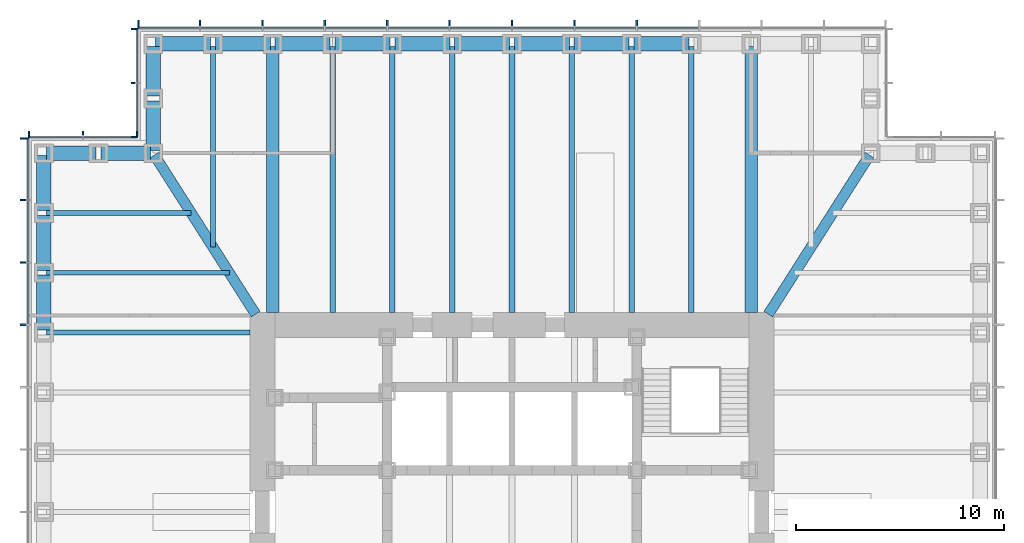
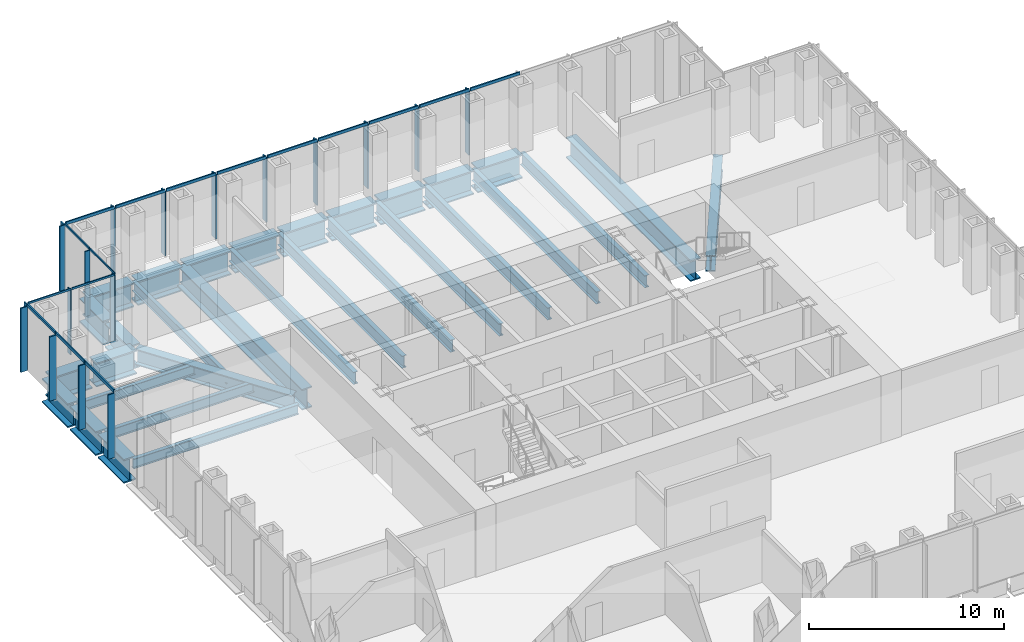
# One storey, part 5 of 16: 35 members, 31 beams, 4 elements without a shape of their own.
"""IFC4 building model written with IfcOpenShell, lengths in metres."""

from ifc_helpers import new_model, si_unit, direction, frame, origin, origin_2d, place, context, subcontext, project, spatial, rectangle, i_section, extrude, material, material_profile, profile_set, type_object, element, aggregate, save


model = new_model("IFC4")

# Units and contexts
model_context = context("Model", 3, precision=1e-05, world=origin(), true_north=direction((0.0, 1.0)))
body_context = subcontext(model_context, "Body", "Model", "MODEL_VIEW")
ifc_project = project(units=[si_unit("LENGTHUNIT", "METRE"), si_unit("AREAUNIT", "SQUARE_METRE"), si_unit("VOLUMEUNIT", "CUBIC_METRE"), si_unit("PLANEANGLEUNIT", "RADIAN"), si_unit("MASSUNIT", "GRAM", prefix="KILO")], contexts=[model_context])

# Site, building, storey
site_placement = place(None, origin())
site = spatial("IfcSite", under=ifc_project, at=site_placement, CompositionType="ELEMENT")
building_placement = place(site_placement, origin())
building = spatial("IfcBuilding", under=site, at=building_placement, Name="Daluyong Arena Tower", CompositionType="ELEMENT")
storey_placement = place(building_placement, frame((0.0, 0.0, 120.699951171875)))
storey = spatial("IfcBuildingStorey", under=building, at=storey_placement, Name="L26", CompositionType="ELEMENT", Elevation=120.699951171875)

# Curtain wall, members
ifc_material_1 = material(Name="Bronze anodised aluminium and glass", Category="aluminium")
curtain_wall_type_1 = type_object("IfcCurtainWallType", Name="Curtain wall CW2", PredefinedType="USERDEFINED", material=ifc_material_1)
curtain_wall_1_placement = place(storey_placement, origin())
curtain_wall_1 = element("IfcCurtainWall", 1, at=curtain_wall_1_placement, inside=storey, type_object=curtain_wall_type_1, Name="curtain wall L26 N", ObjectType="UNITISED CURTAIN WALL", PredefinedType="USERDEFINED")
ifc_material_2 = material(Name="Bronze anodised aluminium fin", Category="aluminium")
ifc_material_profile_1 = material_profile(ifc_material_2, rectangle(XDim=0.39990234375, YDim=0.080078125, at=origin_2d()))
ifc_profile_set_1 = profile_set([ifc_material_profile_1], Name="Bronze anodised aluminium fin")
member_type_1 = type_object("IfcMemberType", Name="CW2 bronze fin 400x80", PredefinedType="MULLION", material=ifc_profile_set_1)
member_1_placement = place(storey_placement, frame((62.0, 103.449951171875, 0.0), z_axis=(0.0, 0.0, 1.0), x_axis=(0.0, -1.0, 0.0)))
member_1 = element("IfcMember", 2, at=member_1_placement, type_object=member_type_1, Name="curtain wall L26 N fin 5", PredefinedType="MULLION", context=body_context, shape_type="SweptSolid", body=[
    extrude(rectangle(XDim=0.39990234375, YDim=0.080078125, at=origin_2d()), origin(), (0.0, 0.0, 1.0), 4.02001953125),
])
member_2_placement = place(storey_placement, frame((59.0, 103.449951171875, 0.0), z_axis=(0.0, 0.0, 1.0), x_axis=(0.0, -1.0, 0.0)))
member_2 = element("IfcMember", 3, at=member_2_placement, type_object=member_type_1, Name="curtain wall L26 N fin 6", PredefinedType="MULLION", context=body_context, shape_type="SweptSolid", body=[
    extrude(rectangle(XDim=0.39990234375, YDim=0.080078125, at=origin_2d()), origin(), (0.0, 0.0, 1.0), 4.02001953125),
])
member_3_placement = place(storey_placement, frame((56.0, 103.449951171875, 0.0), z_axis=(0.0, 0.0, 1.0), x_axis=(0.0, -1.0, 0.0)))
member_3 = element("IfcMember", 4, at=member_3_placement, type_object=member_type_1, Name="curtain wall L26 N fin 7", PredefinedType="MULLION", context=body_context, shape_type="SweptSolid", body=[
    extrude(rectangle(XDim=0.39990234375, YDim=0.080078125, at=origin_2d()), origin(), (0.0, 0.0, 1.0), 4.02001953125),
])
member_4_placement = place(storey_placement, frame((53.0, 103.449951171875, 0.0), z_axis=(0.0, 0.0, 1.0), x_axis=(0.0, -1.0, 0.0)))
member_4 = element("IfcMember", 5, at=member_4_placement, type_object=member_type_1, Name="curtain wall L26 N fin 8", PredefinedType="MULLION", context=body_context, shape_type="SweptSolid", body=[
    extrude(rectangle(XDim=0.39990234375, YDim=0.080078125, at=origin_2d()), origin(), (0.0, 0.0, 1.0), 4.02001953125),
])
member_5_placement = place(storey_placement, frame((50.0, 103.449951171875, 0.0), z_axis=(0.0, 0.0, 1.0), x_axis=(0.0, -1.0, 0.0)))
member_5 = element("IfcMember", 6, at=member_5_placement, type_object=member_type_1, Name="curtain wall L26 N fin 9", PredefinedType="MULLION", context=body_context, shape_type="SweptSolid", body=[
    extrude(rectangle(XDim=0.39990234375, YDim=0.080078125, at=origin_2d()), origin(), (0.0, 0.0, 1.0), 4.02001953125),
])
member_6_placement = place(storey_placement, frame((47.0, 103.449951171875, 0.0), z_axis=(0.0, 0.0, 1.0), x_axis=(0.0, -1.0, 0.0)))
member_6 = element("IfcMember", 7, at=member_6_placement, type_object=member_type_1, Name="curtain wall L26 N fin 10", PredefinedType="MULLION", context=body_context, shape_type="SweptSolid", body=[
    extrude(rectangle(XDim=0.39990234375, YDim=0.080078125, at=origin_2d()), origin(), (0.0, 0.0, 1.0), 4.02001953125),
])
member_7_placement = place(storey_placement, frame((44.0, 103.449951171875, 0.0), z_axis=(0.0, 0.0, 1.0), x_axis=(0.0, -1.0, 0.0)))
member_7 = element("IfcMember", 8, at=member_7_placement, type_object=member_type_1, Name="curtain wall L26 N fin 11", PredefinedType="MULLION", context=body_context, shape_type="SweptSolid", body=[
    extrude(rectangle(XDim=0.39990234375, YDim=0.080078125, at=origin_2d()), origin(), (0.0, 0.0, 1.0), 4.02001953125),
])
member_8_placement = place(storey_placement, frame((41.0, 103.449951171875, 0.0), z_axis=(0.0, 0.0, 1.0), x_axis=(0.0, -1.0, 0.0)))
member_8 = element("IfcMember", 9, at=member_8_placement, type_object=member_type_1, Name="curtain wall L26 N fin 12", PredefinedType="MULLION", context=body_context, shape_type="SweptSolid", body=[
    extrude(rectangle(XDim=0.39990234375, YDim=0.080078125, at=origin_2d()), origin(), (0.0, 0.0, 1.0), 4.02001953125),
])
member_9_placement = place(storey_placement, frame((38.0400390625, 103.449951171875, 0.0), z_axis=(0.0, 0.0, 1.0), x_axis=(0.0, -1.0, 0.0)))
member_9 = element("IfcMember", 10, at=member_9_placement, type_object=member_type_1, Name="curtain wall L26 N fin 13", PredefinedType="MULLION", context=body_context, shape_type="SweptSolid", body=[
    extrude(rectangle(XDim=0.39990234375, YDim=0.080078125, at=origin_2d()), origin(), (0.0, 0.0, 1.0), 4.02001953125),
])

curtain_wall_2_placement = place(storey_placement, origin())
curtain_wall_2 = element("IfcCurtainWall", 11, at=curtain_wall_2_placement, inside=storey, type_object=curtain_wall_type_1, Name="curtain wall L26 W", ObjectType="UNITISED CURTAIN WALL", PredefinedType="USERDEFINED")
member_10_placement = place(storey_placement, frame((32.550048828125, 97.9599609375, 0.0), z_axis=(0.0, 0.0, 1.0), x_axis=(1.0, 0.0, 0.0)))
member_10 = element("IfcMember", 12, at=member_10_placement, type_object=member_type_1, Name="curtain wall L26 W fin 1", PredefinedType="MULLION", context=body_context, shape_type="SweptSolid", body=[
    extrude(rectangle(XDim=0.39990234375, YDim=0.080078125, at=origin_2d()), origin(), (0.0, 0.0, 1.0), 4.02001953125),
])
member_11_placement = place(storey_placement, frame((32.550048828125, 95.0, 0.0), z_axis=(0.0, 0.0, 1.0), x_axis=(1.0, 0.0, 0.0)))
member_11 = element("IfcMember", 13, at=member_11_placement, type_object=member_type_1, Name="curtain wall L26 W fin 2", PredefinedType="MULLION", context=body_context, shape_type="SweptSolid", body=[
    extrude(rectangle(XDim=0.39990234375, YDim=0.080078125, at=origin_2d()), origin(), (0.0, 0.0, 1.0), 4.02001953125),
])
member_12_placement = place(storey_placement, frame((32.550048828125, 92.0, 0.0), z_axis=(0.0, 0.0, 1.0), x_axis=(1.0, 0.0, 0.0)))
member_12 = element("IfcMember", 14, at=member_12_placement, type_object=member_type_1, Name="curtain wall L26 W fin 3", PredefinedType="MULLION", context=body_context, shape_type="SweptSolid", body=[
    extrude(rectangle(XDim=0.39990234375, YDim=0.080078125, at=origin_2d()), origin(), (0.0, 0.0, 1.0), 4.02001953125),
])
member_13_placement = place(storey_placement, frame((32.550048828125, 89.0, 0.0), z_axis=(0.0, 0.0, 1.0), x_axis=(1.0, 0.0, 0.0)))
member_13 = element("IfcMember", 15, at=member_13_placement, type_object=member_type_1, Name="curtain wall L26 W fin 4", PredefinedType="MULLION", context=body_context, shape_type="SweptSolid", body=[
    extrude(rectangle(XDim=0.39990234375, YDim=0.080078125, at=origin_2d()), origin(), (0.0, 0.0, 1.0), 4.02001953125),
])

# Member
ifc_material_3 = material(Name="Bronze anodised aluminium", Category="aluminium")
ifc_material_profile_2 = material_profile(ifc_material_3, rectangle(XDim=0.080078125, YDim=0.179931640625, at=origin_2d()))
ifc_profile_set_2 = profile_set([ifc_material_profile_2], Name="Bronze anodised aluminium")
member_type_2 = type_object("IfcMemberType", Name="CW2 stack transom 180x80", PredefinedType="USERDEFINED", material=ifc_profile_set_2)
member_14_placement = place(storey_placement, frame((64.9599609375, 103.25, 4.110107421875), z_axis=(-1.0, 0.0, 0.0), x_axis=(0.0, -1.0, 0.0)))
member_14 = element("IfcMember", 16, at=member_14_placement, type_object=member_type_2, Name="curtain wall L26 N transom 4", ObjectType="TRANSOM", PredefinedType="USERDEFINED", context=body_context, shape_type="SweptSolid", body=[
    extrude(rectangle(XDim=0.080078125, YDim=0.179931640625, at=origin_2d()), origin(), (0.0, 0.0, 1.0), 2.919921875),
])

member_15_placement = place(storey_placement, frame((61.9599609375, 103.25, 4.110107421875), z_axis=(-1.0, 0.0, 0.0), x_axis=(0.0, -1.0, 0.0)))
member_15 = element("IfcMember", 17, at=member_15_placement, type_object=member_type_2, Name="curtain wall L26 N transom 5", ObjectType="TRANSOM", PredefinedType="USERDEFINED", context=body_context, shape_type="SweptSolid", body=[
    extrude(rectangle(XDim=0.080078125, YDim=0.179931640625, at=origin_2d()), origin(), (0.0, 0.0, 1.0), 2.919921875),
])

member_16_placement = place(storey_placement, frame((58.9599609375, 103.25, 4.110107421875), z_axis=(-1.0, 0.0, 0.0), x_axis=(0.0, -1.0, 0.0)))
member_16 = element("IfcMember", 18, at=member_16_placement, type_object=member_type_2, Name="curtain wall L26 N transom 6", ObjectType="TRANSOM", PredefinedType="USERDEFINED", context=body_context, shape_type="SweptSolid", body=[
    extrude(rectangle(XDim=0.080078125, YDim=0.179931640625, at=origin_2d()), origin(), (0.0, 0.0, 1.0), 2.919921875),
])

member_17_placement = place(storey_placement, frame((55.9599609375, 103.25, 4.110107421875), z_axis=(-1.0, 0.0, 0.0), x_axis=(0.0, -1.0, 0.0)))
member_17 = element("IfcMember", 19, at=member_17_placement, type_object=member_type_2, Name="curtain wall L26 N transom 7", ObjectType="TRANSOM", PredefinedType="USERDEFINED", context=body_context, shape_type="SweptSolid", body=[
    extrude(rectangle(XDim=0.080078125, YDim=0.179931640625, at=origin_2d()), origin(), (0.0, 0.0, 1.0), 2.919921875),
])

member_18_placement = place(storey_placement, frame((52.9599609375, 103.25, 4.110107421875), z_axis=(-1.0, 0.0, 0.0), x_axis=(0.0, -1.0, 0.0)))
member_18 = element("IfcMember", 20, at=member_18_placement, type_object=member_type_2, Name="curtain wall L26 N transom 8", ObjectType="TRANSOM", PredefinedType="USERDEFINED", context=body_context, shape_type="SweptSolid", body=[
    extrude(rectangle(XDim=0.080078125, YDim=0.179931640625, at=origin_2d()), origin(), (0.0, 0.0, 1.0), 2.919921875),
])

member_19_placement = place(storey_placement, frame((49.9599609375, 103.25, 4.110107421875), z_axis=(-1.0, 0.0, 0.0), x_axis=(0.0, -1.0, 0.0)))
member_19 = element("IfcMember", 21, at=member_19_placement, type_object=member_type_2, Name="curtain wall L26 N transom 9", ObjectType="TRANSOM", PredefinedType="USERDEFINED", context=body_context, shape_type="SweptSolid", body=[
    extrude(rectangle(XDim=0.080078125, YDim=0.179931640625, at=origin_2d()), origin(), (0.0, 0.0, 1.0), 2.919921875),
])

member_20_placement = place(storey_placement, frame((46.9599609375, 103.25, 4.110107421875), z_axis=(-1.0, 0.0, 0.0), x_axis=(0.0, -1.0, 0.0)))
member_20 = element("IfcMember", 22, at=member_20_placement, type_object=member_type_2, Name="curtain wall L26 N transom 10", ObjectType="TRANSOM", PredefinedType="USERDEFINED", context=body_context, shape_type="SweptSolid", body=[
    extrude(rectangle(XDim=0.080078125, YDim=0.179931640625, at=origin_2d()), origin(), (0.0, 0.0, 1.0), 2.919921875),
])

member_21_placement = place(storey_placement, frame((43.9599609375, 103.25, 4.110107421875), z_axis=(-1.0, 0.0, 0.0), x_axis=(0.0, -1.0, 0.0)))
member_21 = element("IfcMember", 23, at=member_21_placement, type_object=member_type_2, Name="curtain wall L26 N transom 11", ObjectType="TRANSOM", PredefinedType="USERDEFINED", context=body_context, shape_type="SweptSolid", body=[
    extrude(rectangle(XDim=0.080078125, YDim=0.179931640625, at=origin_2d()), origin(), (0.0, 0.0, 1.0), 2.919921875),
])

member_22_placement = place(storey_placement, frame((40.9599609375, 103.25, 4.110107421875), z_axis=(-1.0, 0.0, 0.0), x_axis=(0.0, -1.0, 0.0)))
member_22 = element("IfcMember", 24, at=member_22_placement, type_object=member_type_2, Name="curtain wall L26 N transom 12", ObjectType="TRANSOM", PredefinedType="USERDEFINED", context=body_context, shape_type="SweptSolid", body=[
    extrude(rectangle(XDim=0.080078125, YDim=0.179931640625, at=origin_2d()), origin(), (0.0, 0.0, 1.0), 2.8798828125),
])

aggregate(curtain_wall_1, [member_1, member_2, member_3, member_4, member_5, member_6, member_7, member_8, member_9, member_14, member_15, member_16, member_17, member_18, member_19, member_20, member_21, member_22])

member_23_placement = place(storey_placement, frame((32.75, 97.919921875, 4.110107421875), z_axis=(0.0, -1.0, 0.0), x_axis=(1.0, 0.0, 0.0)))
member_23 = element("IfcMember", 25, at=member_23_placement, type_object=member_type_2, Name="curtain wall L26 W transom 1", ObjectType="TRANSOM", PredefinedType="USERDEFINED", context=body_context, shape_type="SweptSolid", body=[
    extrude(rectangle(XDim=0.080078125, YDim=0.179931640625, at=origin_2d()), origin(), (0.0, 0.0, 1.0), 2.8798828125),
])

member_24_placement = place(storey_placement, frame((32.75, 94.9599609375, 4.110107421875), z_axis=(0.0, -1.0, 0.0), x_axis=(1.0, 0.0, 0.0)))
member_24 = element("IfcMember", 26, at=member_24_placement, type_object=member_type_2, Name="curtain wall L26 W transom 2", ObjectType="TRANSOM", PredefinedType="USERDEFINED", context=body_context, shape_type="SweptSolid", body=[
    extrude(rectangle(XDim=0.080078125, YDim=0.179931640625, at=origin_2d()), origin(), (0.0, 0.0, 1.0), 2.919921875),
])

member_25_placement = place(storey_placement, frame((32.75, 91.9599609375, 4.110107421875), z_axis=(0.0, -1.0, 0.0), x_axis=(1.0, 0.0, 0.0)))
member_25 = element("IfcMember", 27, at=member_25_placement, type_object=member_type_2, Name="curtain wall L26 W transom 3", ObjectType="TRANSOM", PredefinedType="USERDEFINED", context=body_context, shape_type="SweptSolid", body=[
    extrude(rectangle(XDim=0.080078125, YDim=0.179931640625, at=origin_2d()), origin(), (0.0, 0.0, 1.0), 2.919921875),
])

aggregate(curtain_wall_2, [member_10, member_11, member_12, member_13, member_23, member_24, member_25])

# Curtain wall, members
ifc_material_4 = material(Name="Bronze anodised aluminium and glass", Category="aluminium")
curtain_wall_type_2 = type_object("IfcCurtainWallType", Name="Curtain wall CW7", PredefinedType="USERDEFINED", material=ifc_material_4)
curtain_wall_3_placement = place(storey_placement, origin())
curtain_wall_3 = element("IfcCurtainWall", 28, at=curtain_wall_3_placement, inside=storey, type_object=curtain_wall_type_2, Name="curtain wall L26 NW-W", ObjectType="UNITISED CURTAIN WALL", PredefinedType="USERDEFINED")
ifc_material_5 = material(Name="Bronze anodised aluminium fin", Category="aluminium")
ifc_material_profile_3 = material_profile(ifc_material_5, rectangle(XDim=0.300048828125, YDim=0.06005859375, at=origin_2d()))
ifc_profile_set_3 = profile_set([ifc_material_profile_3], Name="Bronze anodised aluminium fin")
member_type_3 = type_object("IfcMemberType", Name="CW7 bronze fin 300x60", PredefinedType="MULLION", material=ifc_profile_set_3)
member_26_placement = place(storey_placement, frame((37.85009765625, 103.219970703125, 0.0), z_axis=(0.0, 0.0, 1.0), x_axis=(1.0, 0.0, 0.0)))
member_26 = element("IfcMember", 29, at=member_26_placement, type_object=member_type_3, Name="curtain wall L26 NW-W fin 1", PredefinedType="MULLION", context=body_context, shape_type="SweptSolid", body=[
    extrude(rectangle(XDim=0.300048828125, YDim=0.06005859375, at=origin_2d()), origin(), (0.0, 0.0, 1.0), 4.080078125),
])
member_27_placement = place(storey_placement, frame((37.85009765625, 100.625, 0.0), z_axis=(0.0, 0.0, 1.0), x_axis=(1.0, 0.0, 0.0)))
member_27 = element("IfcMember", 30, at=member_27_placement, type_object=member_type_3, Name="curtain wall L26 NW-W fin 2", PredefinedType="MULLION", context=body_context, shape_type="SweptSolid", body=[
    extrude(rectangle(XDim=0.300048828125, YDim=0.06005859375, at=origin_2d()), origin(), (0.0, 0.0, 1.0), 4.080078125),
])
member_28_placement = place(storey_placement, frame((37.85009765625, 98.030029296875, 0.0), z_axis=(0.0, 0.0, 1.0), x_axis=(1.0, 0.0, 0.0)))
member_28 = element("IfcMember", 31, at=member_28_placement, type_object=member_type_3, Name="curtain wall L26 NW-W fin 3", PredefinedType="MULLION", context=body_context, shape_type="SweptSolid", body=[
    extrude(rectangle(XDim=0.300048828125, YDim=0.06005859375, at=origin_2d()), origin(), (0.0, 0.0, 1.0), 4.080078125),
])

curtain_wall_4_placement = place(storey_placement, origin())
curtain_wall_4 = element("IfcCurtainWall", 32, at=curtain_wall_4_placement, inside=storey, type_object=curtain_wall_type_2, Name="curtain wall L26 NW-N", ObjectType="UNITISED CURTAIN WALL", PredefinedType="USERDEFINED")
member_29_placement = place(storey_placement, frame((37.969970703125, 98.14990234375, 0.0), z_axis=(0.0, 0.0, 1.0), x_axis=(0.0, -1.0, 0.0)))
member_29 = element("IfcMember", 33, at=member_29_placement, type_object=member_type_3, Name="curtain wall L26 NW-N fin 1", PredefinedType="MULLION", context=body_context, shape_type="SweptSolid", body=[
    extrude(rectangle(XDim=0.300048828125, YDim=0.06005859375, at=origin_2d()), origin(), (0.0, 0.0, 1.0), 4.080078125),
])
member_30_placement = place(storey_placement, frame((35.375, 98.14990234375, 0.0), z_axis=(0.0, 0.0, 1.0), x_axis=(0.0, -1.0, 0.0)))
member_30 = element("IfcMember", 34, at=member_30_placement, type_object=member_type_3, Name="curtain wall L26 NW-N fin 2", PredefinedType="MULLION", context=body_context, shape_type="SweptSolid", body=[
    extrude(rectangle(XDim=0.300048828125, YDim=0.06005859375, at=origin_2d()), origin(), (0.0, 0.0, 1.0), 4.080078125),
])
member_31_placement = place(storey_placement, frame((32.780029296875, 98.14990234375, 0.0), z_axis=(0.0, 0.0, 1.0), x_axis=(0.0, -1.0, 0.0)))
member_31 = element("IfcMember", 35, at=member_31_placement, type_object=member_type_3, Name="curtain wall L26 NW-N fin 3", PredefinedType="MULLION", context=body_context, shape_type="SweptSolid", body=[
    extrude(rectangle(XDim=0.300048828125, YDim=0.06005859375, at=origin_2d()), origin(), (0.0, 0.0, 1.0), 4.080078125),
])

# Member
ifc_material_6 = material(Name="Bronze anodised aluminium", Category="aluminium")
ifc_material_profile_4 = material_profile(ifc_material_6, rectangle(XDim=0.06005859375, YDim=0.1201171875, at=origin_2d()))
ifc_profile_set_4 = profile_set([ifc_material_profile_4], Name="Bronze anodised aluminium")
member_type_4 = type_object("IfcMemberType", Name="CW7 stack transom 120x60", PredefinedType="USERDEFINED", material=ifc_profile_set_4)
member_32_placement = place(storey_placement, frame((38.0, 103.18994140625, 4.14013671875), z_axis=(0.0, -1.0, 0.0), x_axis=(1.0, 0.0, 0.0)))
member_32 = element("IfcMember", 36, at=member_32_placement, type_object=member_type_4, Name="curtain wall L26 NW-W transom 1", ObjectType="TRANSOM", PredefinedType="USERDEFINED", context=body_context, shape_type="SweptSolid", body=[
    extrude(rectangle(XDim=0.06005859375, YDim=0.1201171875, at=origin_2d()), origin(), (0.0, 0.0, 1.0), 2.534912109375),
])

member_33_placement = place(storey_placement, frame((38.0, 100.594970703125, 4.14013671875), z_axis=(0.0, -1.0, 0.0), x_axis=(1.0, 0.0, 0.0)))
member_33 = element("IfcMember", 37, at=member_33_placement, type_object=member_type_4, Name="curtain wall L26 NW-W transom 2", ObjectType="TRANSOM", PredefinedType="USERDEFINED", context=body_context, shape_type="SweptSolid", body=[
    extrude(rectangle(XDim=0.06005859375, YDim=0.1201171875, at=origin_2d()), origin(), (0.0, 0.0, 1.0), 2.534912109375),
])

aggregate(curtain_wall_3, [member_26, member_27, member_28, member_32, member_33])

member_34_placement = place(storey_placement, frame((37.93994140625, 98.0, 4.14013671875), z_axis=(-1.0, 0.0, 0.0), x_axis=(0.0, -1.0, 0.0)))
member_34 = element("IfcMember", 38, at=member_34_placement, type_object=member_type_4, Name="curtain wall L26 NW-N transom 1", ObjectType="TRANSOM", PredefinedType="USERDEFINED", context=body_context, shape_type="SweptSolid", body=[
    extrude(rectangle(XDim=0.06005859375, YDim=0.1201171875, at=origin_2d()), origin(), (0.0, 0.0, 1.0), 2.534912109375),
])

member_35_placement = place(storey_placement, frame((35.344970703125, 98.0, 4.14013671875), z_axis=(-1.0, 0.0, 0.0), x_axis=(0.0, -1.0, 0.0)))
member_35 = element("IfcMember", 39, at=member_35_placement, type_object=member_type_4, Name="curtain wall L26 NW-N transom 2", ObjectType="TRANSOM", PredefinedType="USERDEFINED", context=body_context, shape_type="SweptSolid", body=[
    extrude(rectangle(XDim=0.06005859375, YDim=0.1201171875, at=origin_2d()), origin(), (0.0, 0.0, 1.0), 2.534912109375),
])

aggregate(curtain_wall_4, [member_29, member_30, member_31, member_34, member_35])

# Beams
ifc_material_7 = material(Name="Steel ASTM A572 Grade 50", Category="steel")
ifc_material_profile_5 = material_profile(ifc_material_7, i_section(OverallWidth=0.5, OverallDepth=1.0, WebThickness=0.03, FlangeThickness=0.06, at=origin_2d()))
ifc_profile_set_5 = profile_set([ifc_material_profile_5], Name="Steel ASTM A572 Grade 50")
beam_type_1 = type_object("IfcBeamType", Name="Corner girder TB1000X500", PredefinedType="BEAM", material=ifc_profile_set_5)
for number, where, z_axis, x_axis, name in (
    (40, (73.188232421875, 97.153076171875, -0.659912109375), (-0.536872006459, -0.843663705916, 0.0), (0.843663705916, -0.536872006459, 0.0), "corner girder DG2"),
    (41, (38.811767578125, 97.153076171875, -0.659912109375), (0.536872006459, -0.843663705916, 0.0), (0.843663705916, 0.536872006459, 0.0), "corner girder DG2"),
):
    element("IfcBeam", number, at=place(storey_placement, frame(where, z_axis=z_axis, x_axis=x_axis)), inside=storey, type_object=beam_type_1, Name=name, PredefinedType="BEAM", context=body_context, shape_type="SweptSolid", body=[
        extrude(i_section(OverallWidth=0.5, OverallDepth=1.0, WebThickness=0.03, FlangeThickness=0.06, at=origin_2d()), origin(), (0.0, 0.0, 1.0), 9.06396484375),
    ])
ifc_material_8 = material(Name="Steel ASTM A572 Grade 50", Category="steel")
ifc_material_profile_6 = material_profile(ifc_material_8, i_section(OverallWidth=0.60009765625, OverallDepth=1.300048828125, WebThickness=0.035, FlangeThickness=0.07, at=origin_2d()))
ifc_profile_set_6 = profile_set([ifc_material_profile_6], Name="Steel ASTM A572 Grade 50")
beam_type_2 = type_object("IfcBeamType", Name="Floor beam TB1300X600", PredefinedType="BEAM", material=ifc_profile_set_6)
for number, where, z_axis, x_axis, name in (
    (42, (67.5, 102.385009765625, -0.81005859375), (0.0, -1.0, 0.0), (1.0, 0.0, 0.0), "floor beam FB7"),
    (43, (44.5, 102.385009765625, -0.81005859375), (0.0, -1.0, 0.0), (1.0, 0.0, 0.0), "floor beam FB7"),
):
    element("IfcBeam", number, at=place(storey_placement, frame(where, z_axis=z_axis, x_axis=x_axis)), inside=storey, type_object=beam_type_2, Name=name, PredefinedType="BEAM", context=body_context, shape_type="SweptSolid", body=[
        extrude(i_section(OverallWidth=0.60009765625, OverallDepth=1.300048828125, WebThickness=0.035, FlangeThickness=0.07, at=origin_2d()), origin(), (0.0, 0.0, 1.0), 12.784912109375),
    ])
ifc_material_9 = material(Name="Steel ASTM A992 Grade 50", Category="steel")
ifc_material_profile_7 = material_profile(ifc_material_9, i_section(OverallWidth=0.22900390625, OverallDepth=0.612060546875, WebThickness=0.011962890625, FlangeThickness=0.01953125, at=origin_2d()))
ifc_profile_set_7 = profile_set([ifc_material_profile_7], Name="Steel ASTM A992 Grade 50")
beam_type_3 = type_object("IfcBeamType", Name="Floor beam W24X84", PredefinedType="BEAM", material=ifc_profile_set_7)
beam_1_placement = place(storey_placement, frame((41.625, 102.385009765625, -0.466064453125), z_axis=(0.0, -1.0, 0.0), x_axis=(1.0, 0.0, 0.0)))
element("IfcBeam", 44, at=beam_1_placement, inside=storey, type_object=beam_type_3, Name="floor beam FB3", PredefinedType="BEAM", context=body_context, shape_type="SweptSolid", body=[
    extrude(i_section(OverallWidth=0.22900390625, OverallDepth=0.612060546875, WebThickness=0.011962890625, FlangeThickness=0.01953125, at=origin_2d()), origin(), (0.0, 0.0, 1.0), 9.65283203125),
])
beam_2_placement = place(storey_placement, frame((33.614990234375, 94.375, -0.466064453125), z_axis=(1.0, 0.0, 0.0), x_axis=(0.0, 1.0, 0.0)))
element("IfcBeam", 45, at=beam_2_placement, inside=storey, type_object=beam_type_3, Name="floor beam FB3", PredefinedType="BEAM", context=body_context, shape_type="SweptSolid", body=[
    extrude(i_section(OverallWidth=0.22900390625, OverallDepth=0.612060546875, WebThickness=0.011962890625, FlangeThickness=0.01953125, at=origin_2d()), origin(), (0.0, 0.0, 1.0), 6.964599609375),
])
beam_3_placement = place(storey_placement, frame((33.614990234375, 91.5, -0.466064453125), z_axis=(1.0, 0.0, 0.0), x_axis=(0.0, 1.0, 0.0)))
element("IfcBeam", 46, at=beam_3_placement, inside=storey, type_object=beam_type_3, Name="floor beam FB3", PredefinedType="BEAM", context=body_context, shape_type="SweptSolid", body=[
    extrude(i_section(OverallWidth=0.22900390625, OverallDepth=0.612060546875, WebThickness=0.011962890625, FlangeThickness=0.01953125, at=origin_2d()), origin(), (0.0, 0.0, 1.0), 8.794189453125),
])
beam_4_placement = place(storey_placement, frame((33.614990234375, 88.625, -0.466064453125), z_axis=(1.0, 0.0, 0.0), x_axis=(0.0, 1.0, 0.0)))
element("IfcBeam", 47, at=beam_4_placement, inside=storey, type_object=beam_type_3, Name="floor beam FB3", PredefinedType="BEAM", context=body_context, shape_type="SweptSolid", body=[
    extrude(i_section(OverallWidth=0.22900390625, OverallDepth=0.612060546875, WebThickness=0.011962890625, FlangeThickness=0.01953125, at=origin_2d()), origin(), (0.0, 0.0, 1.0), 9.784912109375),
])
ifc_material_10 = material(Name="Steel ASTM A992 Grade 50", Category="steel")
ifc_material_profile_8 = material_profile(ifc_material_10, i_section(OverallWidth=0.2666015625, OverallDepth=0.761962890625, WebThickness=0.014404296875, FlangeThickness=0.021484375, at=origin_2d()))
ifc_profile_set_8 = profile_set([ifc_material_profile_8], Name="Steel ASTM A992 Grade 50")
beam_type_4 = type_object("IfcBeamType", Name="Floor beam W30X116", PredefinedType="BEAM", material=ifc_profile_set_8)
for number, where, z_axis, x_axis, name in (
    (48, (64.625, 102.385009765625, -0.541015625), (0.0, -1.0, 0.0), (1.0, 0.0, 0.0), "floor beam FB4"),
    (49, (61.75, 102.385009765625, -0.541015625), (0.0, -1.0, 0.0), (1.0, 0.0, 0.0), "floor beam FB4"),
    (50, (58.875, 102.385009765625, -0.541015625), (0.0, -1.0, 0.0), (1.0, 0.0, 0.0), "floor beam FB4"),
    (51, (56.0, 102.385009765625, -0.541015625), (0.0, -1.0, 0.0), (1.0, 0.0, 0.0), "floor beam FB4"),
    (52, (53.125, 102.385009765625, -0.541015625), (0.0, -1.0, 0.0), (1.0, 0.0, 0.0), "floor beam FB4"),
    (53, (50.25, 102.385009765625, -0.541015625), (0.0, -1.0, 0.0), (1.0, 0.0, 0.0), "floor beam FB4"),
    (54, (47.375, 102.385009765625, -0.541015625), (0.0, -1.0, 0.0), (1.0, 0.0, 0.0), "floor beam FB4"),
):
    element("IfcBeam", number, at=place(storey_placement, frame(where, z_axis=z_axis, x_axis=x_axis)), inside=storey, type_object=beam_type_4, Name=name, PredefinedType="BEAM", context=body_context, shape_type="SweptSolid", body=[
        extrude(i_section(OverallWidth=0.2666015625, OverallDepth=0.761962890625, WebThickness=0.014404296875, FlangeThickness=0.021484375, at=origin_2d()), origin(), (0.0, 0.0, 1.0), 12.784912109375),
    ])
ifc_material_11 = material(Name="Steel ASTM A572 Grade 50", Category="steel")
ifc_material_profile_9 = material_profile(ifc_material_11, i_section(OverallWidth=0.699951171875, OverallDepth=1.5, WebThickness=0.04, FlangeThickness=0.08, at=origin_2d()))
ifc_profile_set_9 = profile_set([ifc_material_profile_9], Name="Steel ASTM A572 Grade 50")
beam_type_5 = type_object("IfcBeamType", Name="Spandrel Z2 PG1500X700", PredefinedType="SPANDREL", material=ifc_profile_set_9)
for number, where, z_axis, x_axis, name in (
    (55, (64.510009765625, 102.5, -0.909912109375), (-1.0, 0.0, 0.0), (0.0, -1.0, 0.0), "spandrel z2 SB6"),
    (56, (61.635009765625, 102.5, -0.909912109375), (-1.0, 0.0, 0.0), (0.0, -1.0, 0.0), "spandrel z2 SB6"),
    (57, (58.760009765625, 102.5, -0.909912109375), (-1.0, 0.0, 0.0), (0.0, -1.0, 0.0), "spandrel z2 SB6"),
    (58, (55.885009765625, 102.5, -0.909912109375), (-1.0, 0.0, 0.0), (0.0, -1.0, 0.0), "spandrel z2 SB6"),
    (59, (53.010009765625, 102.5, -0.909912109375), (-1.0, 0.0, 0.0), (0.0, -1.0, 0.0), "spandrel z2 SB6"),
    (60, (50.135009765625, 102.5, -0.909912109375), (-1.0, 0.0, 0.0), (0.0, -1.0, 0.0), "spandrel z2 SB6"),
    (61, (47.260009765625, 102.5, -0.909912109375), (-1.0, 0.0, 0.0), (0.0, -1.0, 0.0), "spandrel z2 SB6"),
    (62, (44.385009765625, 102.5, -0.909912109375), (-1.0, 0.0, 0.0), (0.0, -1.0, 0.0), "spandrel z2 SB6"),
    (63, (41.510009765625, 102.5, -0.909912109375), (-1.0, 0.0, 0.0), (0.0, -1.0, 0.0), "spandrel z2 SB6"),
):
    element("IfcBeam", number, at=place(storey_placement, frame(where, z_axis=z_axis, x_axis=x_axis)), inside=storey, type_object=beam_type_5, Name=name, PredefinedType="SPANDREL", context=body_context, shape_type="SweptSolid", body=[
        extrude(i_section(OverallWidth=0.699951171875, OverallDepth=1.5, WebThickness=0.04, FlangeThickness=0.08, at=origin_2d()), origin(), (0.0, 0.0, 1.0), 2.64501953125),
    ])
for number, where, z_axis, x_axis, name in (
    (64, (38.75, 102.385009765625, -0.909912109375), (0.0, -1.0, 0.0), (1.0, 0.0, 0.0), "spandrel z2 SB6"),
    (65, (38.75, 99.760009765625, -0.909912109375), (0.0, -1.0, 0.0), (1.0, 0.0, 0.0), "spandrel z2 SB6"),
    (66, (38.635009765625, 97.25, -0.909912109375), (-1.0, 0.0, 0.0), (0.0, -1.0, 0.0), "spandrel z2 SB6"),
    (67, (36.010009765625, 97.25, -0.909912109375), (-1.0, 0.0, 0.0), (0.0, -1.0, 0.0), "spandrel z2 SB6"),
):
    element("IfcBeam", number, at=place(storey_placement, frame(where, z_axis=z_axis, x_axis=x_axis)), inside=storey, type_object=beam_type_5, Name=name, PredefinedType="SPANDREL", context=body_context, shape_type="SweptSolid", body=[
        extrude(i_section(OverallWidth=0.699951171875, OverallDepth=1.5, WebThickness=0.04, FlangeThickness=0.08, at=origin_2d()), origin(), (0.0, 0.0, 1.0), 2.39501953125),
    ])
for number, where, z_axis, x_axis, name in (
    (68, (33.5, 97.135009765625, -0.909912109375), (0.0, -1.0, 0.0), (1.0, 0.0, 0.0), "spandrel z2 SB6"),
    (69, (33.5, 94.260009765625, -0.909912109375), (0.0, -1.0, 0.0), (1.0, 0.0, 0.0), "spandrel z2 SB6"),
    (70, (33.5, 91.385009765625, -0.909912109375), (0.0, -1.0, 0.0), (1.0, 0.0, 0.0), "spandrel z2 SB6"),
):
    element("IfcBeam", number, at=place(storey_placement, frame(where, z_axis=z_axis, x_axis=x_axis)), inside=storey, type_object=beam_type_5, Name=name, PredefinedType="SPANDREL", context=body_context, shape_type="SweptSolid", body=[
        extrude(i_section(OverallWidth=0.699951171875, OverallDepth=1.5, WebThickness=0.04, FlangeThickness=0.08, at=origin_2d()), origin(), (0.0, 0.0, 1.0), 2.64501953125),
    ])

save(model, "model.ifc")
